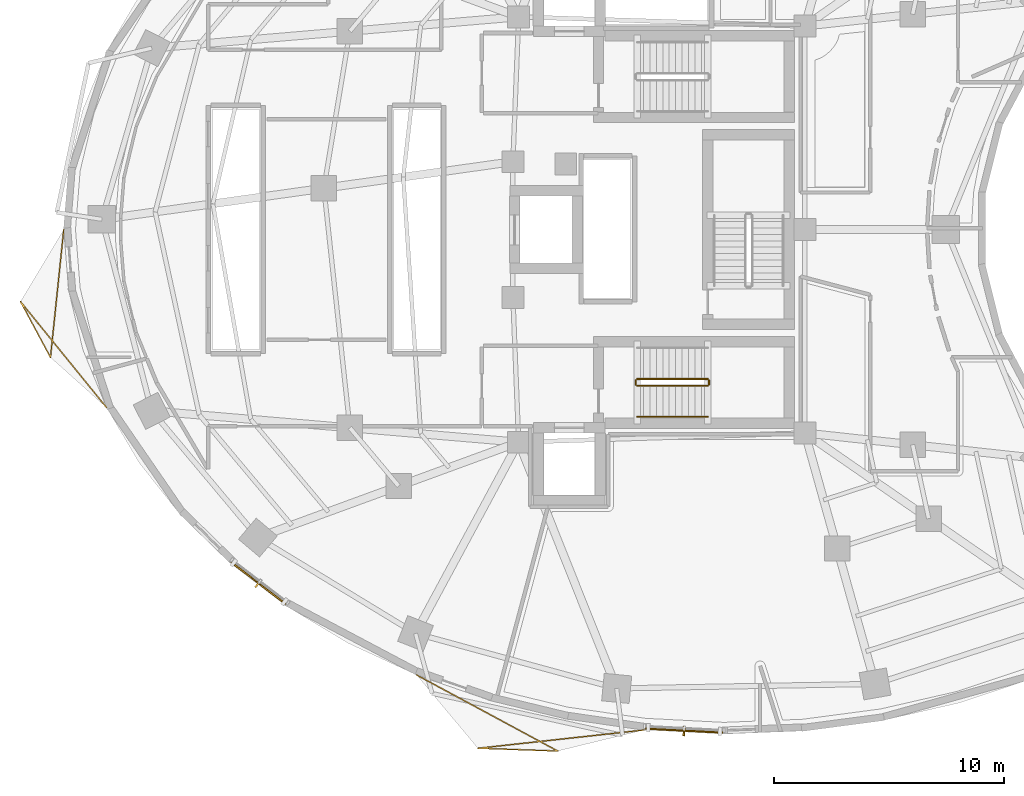
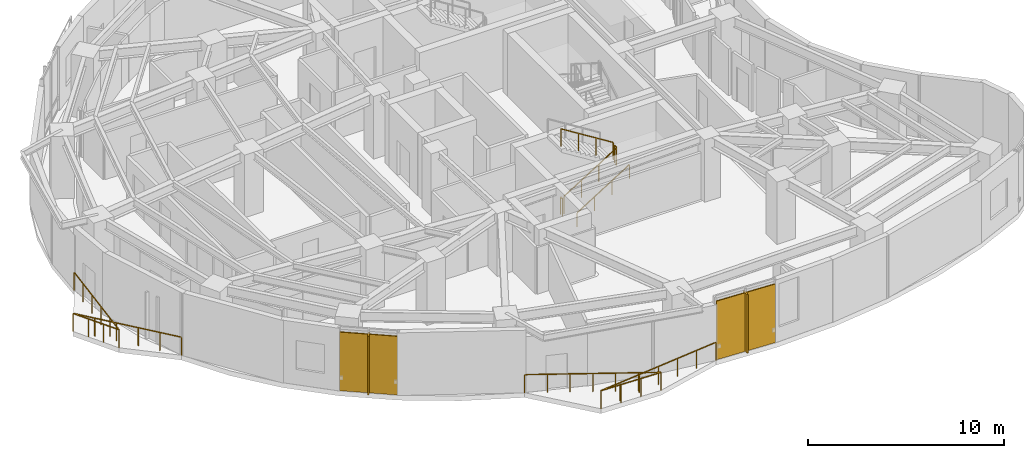
# One storey, part 11 of 13: 7 railings, 4 shading devices.
"""IFC4 building model written with IfcOpenShell, lengths in metres."""

import ifcopenshell
import ifcopenshell.guid

model = None  # the IFC model being written
_history = None  # IfcOwnerHistory: only IFC2X3 demands one
_inside = {}  # id of a spatial element -> (the spatial element, [elements in it])
_under = {}  # id of a project, library or spatial element -> (it, [spatial elements below it])
_declared = {}  # id of a project -> (the project, [libraries it declares])
_typed = {}  # id of a type object -> (the type object, [elements of that type])
_made_of = {}  # id of a material, layer set ... -> (it, [elements and type objects made of it])


def new_model(schema):
    """Start an empty IFC model of exactly this schema.

    Asked for "IFC4X3", IfcOpenShell would pick the latest addendum, in which some entities
    have other attributes; the version numbers below select the first issue.
    IFC2X3 requires an IfcOwnerHistory on every rooted entity: one is made here for all.
    """
    global model, _history
    if schema == "IFC4X3":
        model = ifcopenshell.file(schema_version=(4, 3, 0, 0))
    else:
        model = ifcopenshell.file(schema=schema)
    _inside.clear()
    _under.clear()
    _declared.clear()
    _typed.clear()
    _made_of.clear()
    _history = None
    if model.schema == "IFC2X3":
        org = make("IfcOrganization", Name="unknown")
        user = make(
            "IfcPersonAndOrganization",
            ThePerson=make("IfcPerson", FamilyName="unknown"),
            TheOrganization=org,
        )
        app = make(
            "IfcApplication",
            ApplicationDeveloper=org,
            Version="unknown",
            ApplicationFullName="unknown",
            ApplicationIdentifier="unknown",
        )
        _history = make(
            "IfcOwnerHistory",
            OwningUser=user,
            OwningApplication=app,
            ChangeAction="ADDED",
            CreationDate=0,
        )
    return model


def make(cls, **values):
    """One entity of the class cls with the attributes given. An attribute that is None is left unset."""
    return model.create_entity(
        cls, **{name: value for name, value in values.items() if value is not None}
    )


def rooted(cls, **values):
    """An entity with a GlobalId (a new one), such as an element, a storey or a relation."""
    return make(cls, GlobalId=ifcopenshell.guid.new(), OwnerHistory=_history, **values)


def si_unit(unit_type, name, prefix=None):
    """IfcSIUnit, for example si_unit("LENGTHUNIT", "METRE", prefix="MILLI")."""
    return make("IfcSIUnit", UnitType=unit_type, Prefix=prefix, Name=name)


def assignment(units):
    """IfcUnitAssignment: the units of a project."""
    return None if units is None else make("IfcUnitAssignment", Units=units)


def point(xyz):
    """IfcCartesianPoint."""
    return None if xyz is None else make("IfcCartesianPoint", Coordinates=xyz)


def direction(xyz):
    """IfcDirection."""
    return None if xyz is None else make("IfcDirection", DirectionRatios=xyz)


def frame(location, z_axis=None, x_axis=None):
    """IfcAxis2Placement3D, a coordinate frame: its origin and axes. An axis left out is left unset."""
    return make(
        "IfcAxis2Placement3D",
        Location=point(location),
        Axis=direction(z_axis),
        RefDirection=direction(x_axis),
    )


def frame_2d(location, x_axis=None):
    """IfcAxis2Placement2D, a coordinate frame in the plane: its origin and x axis."""
    return make(
        "IfcAxis2Placement2D", Location=point(location), RefDirection=direction(x_axis)
    )


def origin():
    """The frame at (0, 0, 0) with its axes left unset."""
    return frame((0.0, 0.0, 0.0))


def origin_2d():
    """The frame at (0, 0) in the plane with its x axis left unset."""
    return frame_2d((0.0, 0.0))


def place(relative_to, where):
    """IfcLocalPlacement: puts the frame where relative to a parent placement (None: the world)."""
    return make(
        "IfcLocalPlacement", PlacementRelTo=relative_to, RelativePlacement=where
    )


def context(
    kind, dimensions, precision=None, world=None, true_north=None, identifier=None
):
    """IfcGeometricRepresentationContext, for example the 3D "Model" context."""
    return make(
        "IfcGeometricRepresentationContext",
        ContextIdentifier=identifier,
        ContextType=kind,
        CoordinateSpaceDimension=dimensions,
        Precision=precision,
        WorldCoordinateSystem=world,
        TrueNorth=true_north,
    )


def subcontext(parent, identifier, kind, view, scale=None):
    """IfcGeometricRepresentationSubContext, for example "Body" below "Model"."""
    return make(
        "IfcGeometricRepresentationSubContext",
        ContextIdentifier=identifier,
        ContextType=kind,
        ParentContext=parent,
        TargetScale=scale,
        TargetView=view,
    )


def project(units=None, contexts=None):
    """IfcProject with its units and contexts."""
    return rooted(
        "IfcProject",
        Name="project",
        RepresentationContexts=contexts,
        UnitsInContext=assignment(units),
    )


def spatial(cls, under=None, at=None, **own):
    """A site, building, storey or space (cls), placed at a placement, below another one or the project."""
    s = rooted(cls, ObjectPlacement=at, **own)
    if under is not None:
        _under.setdefault(under.id(), (under, []))[1].append(s)
    return s


def profile(cls, at=None, kind="AREA", **sizes):
    """A parametric profile (cls). Its sizes go by their IFC names, for example OverallWidth=200.0."""
    return make(cls, ProfileType=kind, Position=at, **sizes)


def rectangle(**sizes):
    """IfcRectangleProfileDef."""
    return profile("IfcRectangleProfileDef", **sizes)


def extrude(swept, where, along, depth):
    """IfcExtrudedAreaSolid: the profile swept, set in the frame where, extruded along a direction by depth."""
    return make(
        "IfcExtrudedAreaSolid",
        SweptArea=swept,
        Position=where,
        ExtrudedDirection=direction(along),
        Depth=depth,
    )


def shape(context_of_items, identifier, shape_type, items):
    """IfcShapeRepresentation: the items that make up one representation, for example the "Body"."""
    return make(
        "IfcShapeRepresentation",
        ContextOfItems=context_of_items,
        RepresentationIdentifier=identifier,
        RepresentationType=shape_type,
        Items=items,
    )


def material(Name=None, Category=None):
    """IfcMaterial."""
    return make("IfcMaterial", Name=Name, Category=Category)


def layer(
    of_material, thickness, ventilated=None, Name=None, Category=None, Priority=None
):
    """IfcMaterialLayer: one layer of a wall or slab, of a material (None: an air gap)."""
    return make(
        "IfcMaterialLayer",
        Material=of_material,
        LayerThickness=thickness,
        IsVentilated=ventilated,
        Name=Name,
        Category=Category,
        Priority=Priority,
    )


def layer_set(layers, Name=None):
    """IfcMaterialLayerSet."""
    return make("IfcMaterialLayerSet", MaterialLayers=layers, LayerSetName=Name)


def made_of(thing, what):
    """Note that an element or type object is made of a material, layer set ...; save() writes the relation."""
    if what is not None:
        _made_of.setdefault(what.id(), (what, []))[1].append(thing)
    return thing


def type_object(cls, material=None, **own):
    """A type object (cls), such as IfcWallType, which elements share."""
    return made_of(rooted(cls, **own), material)


def element(
    cls,
    number,
    at=None,
    inside=None,
    cuts=None,
    type_object=None,
    material=None,
    context=None,
    identifier="Body",
    shape_type=None,
    held_by="IfcProductDefinitionShape",
    body=None,
    shapes=None,
    **own,
):
    """One element of the class cls, such as IfcWall. Its Tag is "e" and its number.

    at: its placement. inside: the storey or other place that contains it. cuts: it is an
    opening in that element (IfcRelVoidsElement). A single representation is given by context,
    identifier, shape_type and body (its items); several are given by shapes. held_by: the class
    of the entity that holds the representations. save() writes the other relations.
    """
    e = rooted(cls, Tag="e%d" % number, ObjectPlacement=at, **own)
    if body is not None:
        shapes = [shape(context, identifier, shape_type, body)]
    if shapes is not None:
        e.Representation = make(held_by, Representations=shapes)
    if inside is not None:
        _inside.setdefault(inside.id(), (inside, []))[1].append(e)
    if cuts is not None:
        rooted(
            "IfcRelVoidsElement", RelatingBuildingElement=cuts, RelatedOpeningElement=e
        )
    if type_object is not None:
        _typed.setdefault(type_object.id(), (type_object, []))[1].append(e)
    return made_of(e, material)


def aggregate(whole, parts):
    """IfcRelAggregates: a whole, such as a stair, and the parts it consists of."""
    return rooted("IfcRelAggregates", RelatingObject=whole, RelatedObjects=parts)


def save(model, path):
    """Write the relations noted so far, then the file.

    IfcRelAggregates (storeys below a building ...), IfcRelContainedInSpatialStructure (elements
    in a storey), IfcRelDefinesByType, IfcRelAssociatesMaterial and IfcRelDeclares: one each for
    every whole, place, type object, material and project.
    """
    for whole, parts in _under.values():
        aggregate(whole, parts)
    for where, things in _inside.values():
        rooted(
            "IfcRelContainedInSpatialStructure",
            RelatedElements=things,
            RelatingStructure=where,
        )
    for kind, things in _typed.values():
        rooted("IfcRelDefinesByType", RelatedObjects=things, RelatingType=kind)
    for what, things in _made_of.values():
        rooted("IfcRelAssociatesMaterial", RelatedObjects=things, RelatingMaterial=what)
    for by, libraries in _declared.values():
        rooted("IfcRelDeclares", RelatingContext=by, RelatedDefinitions=libraries)
    model.write(path)


model = new_model("IFC4")

# Units and contexts
model_context = context("Model", 3, precision=1e-05, world=origin(), true_north=direction((0.0, 1.0)))
body_context = subcontext(model_context, "Body", "Model", "MODEL_VIEW")
ifc_project = project(units=[si_unit("LENGTHUNIT", "METRE"), si_unit("AREAUNIT", "SQUARE_METRE"), si_unit("VOLUMEUNIT", "CUBIC_METRE"), si_unit("PLANEANGLEUNIT", "RADIAN"), si_unit("MASSUNIT", "GRAM", prefix="KILO")], contexts=[model_context])

# Site, building, storey
site_placement = place(None, origin())
site = spatial("IfcSite", under=ifc_project, at=site_placement, CompositionType="ELEMENT")
building_placement = place(site_placement, origin())
building = spatial("IfcBuilding", under=site, at=building_placement, Name="Korentha Bioscience Tower", CompositionType="ELEMENT")
storey_placement = place(building_placement, frame((0.0, 0.0, 106.800048828125)))
storey = spatial("IfcBuildingStorey", under=building, at=storey_placement, Name="L24", CompositionType="ELEMENT", Elevation=106.800048828125)

# Railings
ifc_material_1 = material(Name="Stainless Steel 304", Category="steel")
railing_type_1 = type_object("IfcRailingType", Name="Brushed Stainless Stair Handrail 900", PredefinedType="HANDRAIL", material=ifc_material_1)
railing_1_placement = place(storey_placement, frame((30.25, 18.85009765625, 0.175048828125)))
element("IfcRailing", 1, at=railing_1_placement, inside=storey, type_object=railing_type_1, Name="L24 ST-2 stair handrail 1", PredefinedType="HANDRAIL", context=body_context, shape_type="SweptSolid", body=[
    extrude(rectangle(XDim=0.048095703125, YDim=0.048095703125, at=origin_2d()), frame((0.0, 0.0, 0.8759765625), z_axis=(0.848028513186, 0.0, 0.529950602248), x_axis=(0.0, 1.0, 0.0)), (0.0, 0.0, 1.0), 3.632080078125),
    extrude(rectangle(XDim=0.0419921875, YDim=0.0419921875, at=origin_2d()), origin(), (0.0, 0.0, 1.0), 0.851806640625),
    extrude(rectangle(XDim=0.0419921875, YDim=0.0419921875, at=origin_2d()), frame((1.026611328125, 0.0, 0.6416015625)), (0.0, 0.0, 1.0), 0.851806640625),
    extrude(rectangle(XDim=0.0419921875, YDim=0.0419921875, at=origin_2d()), frame((2.053466796875, 0.0, 1.283203125)), (0.0, 0.0, 1.0), 0.851806640625),
    extrude(rectangle(XDim=0.0419921875, YDim=0.0419921875, at=origin_2d()), frame((3.080078125, 0.0, 1.9248046875)), (0.0, 0.0, 1.0), 0.851806640625),
])
ifc_material_2 = material(Name="Laminated Tempered Safety Glass", Category="glass")
railing_type_2 = type_object("IfcRailingType", Name="Laminated Glass Balcony Guardrail 1150", PredefinedType="BALUSTRADE", material=ifc_material_2)
railing_2_placement = place(storey_placement, frame((5.31396484375, 27.0, 0.0)))
element("IfcRailing", 2, at=railing_2_placement, inside=storey, type_object=railing_type_2, Name="L24 Balcony Guardrail 02", PredefinedType="BALUSTRADE", context=body_context, shape_type="SweptSolid", body=[
    extrude(rectangle(XDim=0.048095703125, YDim=0.048095703125, at=origin_2d()), frame((0.0, 0.0, 1.1259765625), z_axis=(-0.103140291233, -0.994666818751, 0.0), x_axis=(0.994666818751, -0.103140291233, 0.0)), (0.0, 0.0, 1.0), 5.595703125),
    extrude(rectangle(XDim=0.048095703125, YDim=0.048095703125, at=origin_2d()), frame((-0.5771484375, -5.56591796875, 1.1259765625), z_axis=(-0.472764072862, 0.881189044082, 0.0), x_axis=(-0.881189044082, -0.472764072862, 0.0)), (0.0, 0.0, 1.0), 2.7587890625),
    extrude(rectangle(XDim=0.048095703125, YDim=0.048095703125, at=origin_2d()), frame((-1.88134765625, -3.135009765625, 1.1259765625), z_axis=(0.63030320246, -0.776349066444, 0.0), x_axis=(0.776349066444, 0.63030320246, 0.0)), (0.0, 0.0, 1.0), 5.939453125),
    extrude(rectangle(XDim=0.0419921875, YDim=0.0419921875, at=origin_2d()), origin(), (0.0, 0.0, 1.0), 1.101806640625),
    extrude(rectangle(XDim=0.0419921875, YDim=0.0419921875, at=origin_2d()), frame((-0.115478515625, -1.11328125, 0.0)), (0.0, 0.0, 1.0), 1.101806640625),
    extrude(rectangle(XDim=0.0419921875, YDim=0.0419921875, at=origin_2d()), frame((-0.23095703125, -2.226318359375, 0.0)), (0.0, 0.0, 1.0), 1.101806640625),
    extrude(rectangle(XDim=0.0419921875, YDim=0.0419921875, at=origin_2d()), frame((-0.34619140625, -3.339599609375, 0.0)), (0.0, 0.0, 1.0), 1.101806640625),
    extrude(rectangle(XDim=0.0419921875, YDim=0.0419921875, at=origin_2d()), frame((-0.461669921875, -4.45263671875, 0.0)), (0.0, 0.0, 1.0), 1.101806640625),
    extrude(rectangle(XDim=0.0419921875, YDim=0.0419921875, at=origin_2d()), frame((-0.5771484375, -5.56591796875, 0.0)), (0.0, 0.0, 1.0), 1.101806640625),
    extrude(rectangle(XDim=0.0419921875, YDim=0.0419921875, at=origin_2d()), frame((-1.011962890625, -4.755615234375, 0.0)), (0.0, 0.0, 1.0), 1.101806640625),
    extrude(rectangle(XDim=0.0419921875, YDim=0.0419921875, at=origin_2d()), frame((-1.446533203125, -3.9453125, 0.0)), (0.0, 0.0, 1.0), 1.101806640625),
    extrude(rectangle(XDim=0.0419921875, YDim=0.0419921875, at=origin_2d()), frame((-1.88134765625, -3.135009765625, 0.0)), (0.0, 0.0, 1.0), 1.101806640625),
    extrude(rectangle(XDim=0.0419921875, YDim=0.0419921875, at=origin_2d()), frame((-1.132568359375, -4.05712890625, 0.0)), (0.0, 0.0, 1.0), 1.101806640625),
    extrude(rectangle(XDim=0.0419921875, YDim=0.0419921875, at=origin_2d()), frame((-0.3837890625, -4.9794921875, 0.0)), (0.0, 0.0, 1.0), 1.101806640625),
    extrude(rectangle(XDim=0.0419921875, YDim=0.0419921875, at=origin_2d()), frame((0.36474609375, -5.901611328125, 0.0)), (0.0, 0.0, 1.0), 1.101806640625),
    extrude(rectangle(XDim=0.0419921875, YDim=0.0419921875, at=origin_2d()), frame((1.113525390625, -6.823974609375, 0.0)), (0.0, 0.0, 1.0), 1.101806640625),
    extrude(rectangle(XDim=0.0419921875, YDim=0.0419921875, at=origin_2d()), frame((1.8623046875, -7.74609375, 0.0)), (0.0, 0.0, 1.0), 1.101806640625),
])
railing_3_placement = place(storey_placement, frame((20.66650390625, 7.62109375, 0.0)))
element("IfcRailing", 3, at=railing_3_placement, inside=storey, type_object=railing_type_2, Name="L24 Balcony Guardrail 03", PredefinedType="BALUSTRADE", context=body_context, shape_type="SweptSolid", body=[
    extrude(rectangle(XDim=0.048095703125, YDim=0.048095703125, at=origin_2d()), frame((0.0, 0.0, 1.1259765625), z_axis=(0.880340587616, -0.474342123151, 0.0), x_axis=(0.474342123151, 0.880340587616, 0.0)), (0.0, 0.0, 1.0), 6.969482421875),
    extrude(rectangle(XDim=0.048095703125, YDim=0.048095703125, at=origin_2d()), frame((6.135498046875, -3.305908203125, 1.1259765625), z_axis=(-0.999404081372, 0.034517852442, 0.0), x_axis=(-0.034517852442, -0.999404081372, 0.0)), (0.0, 0.0, 1.0), 3.479736328125),
    extrude(rectangle(XDim=0.048095703125, YDim=0.048095703125, at=origin_2d()), frame((2.65771484375, -3.185791015625, 1.1259765625), z_axis=(0.993998557505, 0.109393179306, 0.0), x_axis=(-0.109393179306, 0.993998557505, 0.0)), (0.0, 0.0, 1.0), 7.27783203125),
    extrude(rectangle(XDim=0.0419921875, YDim=0.0419921875, at=origin_2d()), origin(), (0.0, 0.0, 1.0), 1.101806640625),
    extrude(rectangle(XDim=0.0419921875, YDim=0.0419921875, at=origin_2d()), frame((1.0224609375, -0.551025390625, 0.0)), (0.0, 0.0, 1.0), 1.101806640625),
    extrude(rectangle(XDim=0.0419921875, YDim=0.0419921875, at=origin_2d()), frame((2.045166015625, -1.10205078125, 0.0)), (0.0, 0.0, 1.0), 1.101806640625),
    extrude(rectangle(XDim=0.0419921875, YDim=0.0419921875, at=origin_2d()), frame((3.06787109375, -1.65283203125, 0.0)), (0.0, 0.0, 1.0), 1.101806640625),
    extrude(rectangle(XDim=0.0419921875, YDim=0.0419921875, at=origin_2d()), frame((4.09033203125, -2.203857421875, 0.0)), (0.0, 0.0, 1.0), 1.101806640625),
    extrude(rectangle(XDim=0.0419921875, YDim=0.0419921875, at=origin_2d()), frame((5.11279296875, -2.7548828125, 0.0)), (0.0, 0.0, 1.0), 1.101806640625),
    extrude(rectangle(XDim=0.0419921875, YDim=0.0419921875, at=origin_2d()), frame((6.135498046875, -3.305908203125, 0.0)), (0.0, 0.0, 1.0), 1.101806640625),
    extrude(rectangle(XDim=0.0419921875, YDim=0.0419921875, at=origin_2d()), frame((4.976318359375, -3.265869140625, 0.0)), (0.0, 0.0, 1.0), 1.101806640625),
    extrude(rectangle(XDim=0.0419921875, YDim=0.0419921875, at=origin_2d()), frame((3.81689453125, -3.225830078125, 0.0)), (0.0, 0.0, 1.0), 1.101806640625),
    extrude(rectangle(XDim=0.0419921875, YDim=0.0419921875, at=origin_2d()), frame((2.65771484375, -3.185791015625, 0.0)), (0.0, 0.0, 1.0), 1.101806640625),
    extrude(rectangle(XDim=0.0419921875, YDim=0.0419921875, at=origin_2d()), frame((3.86328125, -3.05322265625, 0.0)), (0.0, 0.0, 1.0), 1.101806640625),
    extrude(rectangle(XDim=0.0419921875, YDim=0.0419921875, at=origin_2d()), frame((5.069091796875, -2.92041015625, 0.0)), (0.0, 0.0, 1.0), 1.101806640625),
    extrude(rectangle(XDim=0.0419921875, YDim=0.0419921875, at=origin_2d()), frame((6.27490234375, -2.78759765625, 0.0)), (0.0, 0.0, 1.0), 1.101806640625),
    extrude(rectangle(XDim=0.0419921875, YDim=0.0419921875, at=origin_2d()), frame((7.48046875, -2.655029296875, 0.0)), (0.0, 0.0, 1.0), 1.101806640625),
    extrude(rectangle(XDim=0.0419921875, YDim=0.0419921875, at=origin_2d()), frame((8.68603515625, -2.5224609375, 0.0)), (0.0, 0.0, 1.0), 1.101806640625),
    extrude(rectangle(XDim=0.0419921875, YDim=0.0419921875, at=origin_2d()), frame((9.891845703125, -2.3896484375, 0.0)), (0.0, 0.0, 1.0), 1.101806640625),
])
ifc_material_3 = material(Name="Painted Steel S275", Category="steel")
railing_type_3 = type_object("IfcRailingType", Name="Painted Steel Stair Well Guardrail 1100", PredefinedType="GUARDRAIL", material=ifc_material_3)
railing_4_placement = place(storey_placement, frame((30.25, 20.199951171875, 0.175048828125)))
element("IfcRailing", 4, at=railing_4_placement, inside=storey, type_object=railing_type_3, Name="L24 ST-2 stair guard 1", PredefinedType="GUARDRAIL", context=body_context, shape_type="SweptSolid", body=[
    extrude(rectangle(XDim=0.048095703125, YDim=0.048095703125, at=origin_2d()), frame((0.0, 0.0, 1.076171875), z_axis=(0.848028513186, 0.0, 0.529950602248), x_axis=(0.0, 1.0, 0.0)), (0.0, 0.0, 1.0), 3.632080078125),
    extrude(rectangle(XDim=0.0419921875, YDim=0.0419921875, at=origin_2d()), origin(), (0.0, 0.0, 1.0), 1.052001953125),
    extrude(rectangle(XDim=0.0419921875, YDim=0.0419921875, at=origin_2d()), frame((1.026611328125, 0.0, 0.6416015625)), (0.0, 0.0, 1.0), 1.052001953125),
    extrude(rectangle(XDim=0.0419921875, YDim=0.0419921875, at=origin_2d()), frame((2.053466796875, 0.0, 1.283203125)), (0.0, 0.0, 1.0), 1.052001953125),
    extrude(rectangle(XDim=0.0419921875, YDim=0.0419921875, at=origin_2d()), frame((3.080078125, 0.0, 1.9248046875)), (0.0, 0.0, 1.0), 1.052001953125),
])
railing_5_placement = place(storey_placement, frame((33.3798828125, 20.25, 2.099853515625)))
element("IfcRailing", 5, at=railing_5_placement, inside=storey, type_object=railing_type_3, Name="L24 ST-2 stair guard 2", PredefinedType="GUARDRAIL", context=body_context, shape_type="SweptSolid", body=[
    extrude(rectangle(XDim=0.048095703125, YDim=0.048095703125, at=origin_2d()), frame((0.0, 0.0, 1.076171875), z_axis=(0.0, 1.0, 0.0), x_axis=(-1.0, 0.0, 0.0)), (0.0, 0.0, 1.0), 0.199951171875),
    extrude(rectangle(XDim=0.0419921875, YDim=0.0419921875, at=origin_2d()), origin(), (0.0, 0.0, 1.0), 1.052001953125),
    extrude(rectangle(XDim=0.0419921875, YDim=0.0419921875, at=origin_2d()), frame((0.0, 0.199951171875, 0.0)), (0.0, 0.0, 1.0), 1.052001953125),
])
railing_6_placement = place(storey_placement, frame((33.330078125, 20.5, 2.27490234375)))
element("IfcRailing", 6, at=railing_6_placement, inside=storey, type_object=railing_type_3, Name="L24 ST-2 stair guard 3", PredefinedType="GUARDRAIL", context=body_context, shape_type="SweptSolid", body=[
    extrude(rectangle(XDim=0.048095703125, YDim=0.048095703125, at=origin_2d()), frame((0.0, 0.0, 1.076171875), z_axis=(-0.847998304005, 0.0, 0.529998940003), x_axis=(0.0, -1.0, 0.0)), (0.0, 0.0, 1.0), 3.632080078125),
    extrude(rectangle(XDim=0.0419921875, YDim=0.0419921875, at=origin_2d()), origin(), (0.0, 0.0, 1.0), 1.052001953125),
    extrude(rectangle(XDim=0.0419921875, YDim=0.0419921875, at=origin_2d()), frame((-1.026611328125, 0.0, 0.6416015625)), (0.0, 0.0, 1.0), 1.052001953125),
    extrude(rectangle(XDim=0.0419921875, YDim=0.0419921875, at=origin_2d()), frame((-2.053466796875, 0.0, 1.283447265625)), (0.0, 0.0, 1.0), 1.052001953125),
    extrude(rectangle(XDim=0.0419921875, YDim=0.0419921875, at=origin_2d()), frame((-3.080078125, 0.0, 1.925048828125)), (0.0, 0.0, 1.0), 1.052001953125),
])
railing_7_placement = place(storey_placement, frame((30.199951171875, 20.25, 0.0)))
element("IfcRailing", 7, at=railing_7_placement, inside=storey, type_object=railing_type_3, Name="L24 ST-2 stair guard 4", PredefinedType="GUARDRAIL", context=body_context, shape_type="SweptSolid", body=[
    extrude(rectangle(XDim=0.048095703125, YDim=0.048095703125, at=origin_2d()), frame((0.0, 0.0, 1.076171875), z_axis=(0.0, 1.0, 0.0), x_axis=(-1.0, 0.0, 0.0)), (0.0, 0.0, 1.0), 0.199951171875),
    extrude(rectangle(XDim=0.0419921875, YDim=0.0419921875, at=origin_2d()), origin(), (0.0, 0.0, 1.0), 1.052001953125),
    extrude(rectangle(XDim=0.0419921875, YDim=0.0419921875, at=origin_2d()), frame((0.0, 0.199951171875, 0.0)), (0.0, 0.0, 1.0), 1.052001953125),
])

# Shading devices
ifc_material_4 = material(Name="Perforated Stone-Ceramic Composite", Category="masonry")
ifc_layer_1 = layer(ifc_material_4, 0.06494140625, Name="Perforated Stone-Ceramic Composite")
ifc_layer_set_1 = layer_set([ifc_layer_1], Name="Perforated Stone-Ceramic Composite (CS-01)")
shading_device_type_1 = type_object("IfcShadingDeviceType", Name="Perforated Stone-Ceramic Solar Screen Panel 65", PredefinedType="USERDEFINED", material=ifc_layer_set_1)
shading_device_1_placement = place(storey_placement, frame((13.7841796875, 11.616455078125, 0.0), z_axis=(0.0, 0.0, 1.0), x_axis=(0.794499603893, -0.607264669986, 0.0)))
element("IfcShadingDevice", 8, at=shading_device_1_placement, inside=storey, type_object=shading_device_type_1, Name="CW-L24-25 Perforated Stone-Ceramic Solar Screen", ObjectType="SCREEN", PredefinedType="USERDEFINED", context=body_context, shape_type="SweptSolid", body=[
    extrude(rectangle(XDim=2.98291015625, YDim=0.06494140625, at=origin_2d()), origin(), (0.0, 0.0, 1.0), 3.64990234375),
])
shading_device_2_placement = place(storey_placement, frame((32.2958984375, 5.201904296875, 0.0), z_axis=(0.0, 0.0, 1.0), x_axis=(0.998673231344, -0.051495407527, 0.0)))
element("IfcShadingDevice", 9, at=shading_device_2_placement, inside=storey, type_object=shading_device_type_1, Name="CW-L24-31 Perforated Stone-Ceramic Solar Screen", ObjectType="SCREEN", PredefinedType="USERDEFINED", context=body_context, shape_type="SweptSolid", body=[
    extrude(rectangle(XDim=3.373779296875, YDim=0.06494140625, at=origin_2d()), origin(), (0.0, 0.0, 1.0), 3.64990234375),
])
ifc_material_5 = material(Name="Honed Travertine Limestone", Category="masonry")
ifc_layer_2 = layer(ifc_material_5, 0.080078125, Name="Honed Travertine Limestone")
ifc_layer_set_2 = layer_set([ifc_layer_2], Name="Honed Travertine Limestone (CS-02)")
shading_device_type_2 = type_object("IfcShadingDeviceType", Name="Vertical Honed Limestone Sunshade Fin 80x420", PredefinedType="USERDEFINED", material=ifc_layer_set_2)
for number, where, z_axis, x_axis, name in (
    (10, (13.77197265625, 11.600341796875, 0.0), (0.0, 0.0, 1.0), (0.794499603893, -0.607264669986, 0.0), "CW-L24-25 Limestone Sunshade Fin"),
    (11, (32.294921875, 5.18212890625, 0.0), (0.0, 0.0, 1.0), (0.998673231344, -0.051495407527, 0.0), "CW-L24-31 Limestone Sunshade Fin"),
):
    element("IfcShadingDevice", number, at=place(storey_placement, frame(where, z_axis=z_axis, x_axis=x_axis)), inside=storey, type_object=shading_device_type_2, Name=name, ObjectType="SCREEN", PredefinedType="USERDEFINED", context=body_context, shape_type="SweptSolid", body=[
        extrude(rectangle(XDim=0.080078125, YDim=0.419921875, at=origin_2d()), origin(), (0.0, 0.0, 1.0), 3.64990234375),
    ])

save(model, "model.ifc")
